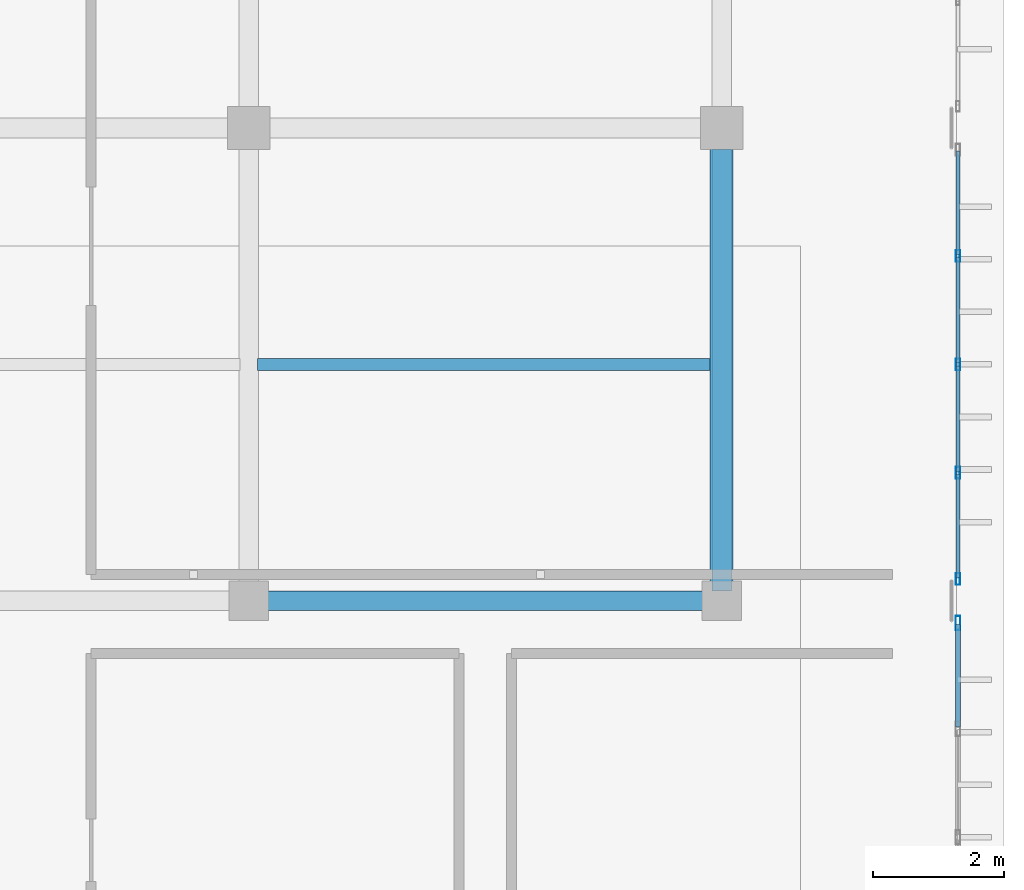
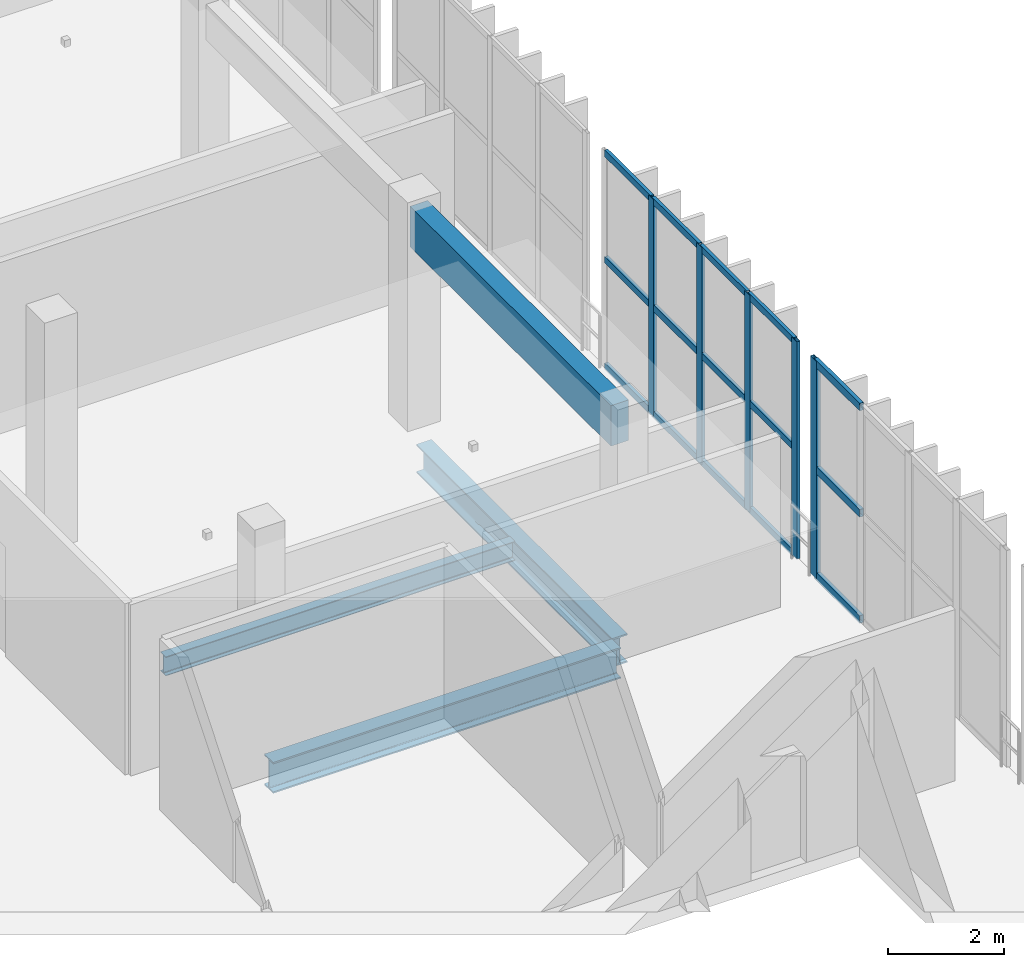
# One storey, part 59 of 105: 20 members, 4 beams, 2 elements without a shape of their own.
"""IFC4 building model written with IfcOpenShell, lengths in metres."""

from ifc_helpers import new_model, si_unit, direction, frame, origin, origin_2d, place, context, subcontext, project, spatial, rectangle, hollow_rectangle, i_section, extrude, material, material_profile, profile_set, type_object, element, aggregate, save


model = new_model("IFC4")

# Units and contexts
model_context = context("Model", 3, precision=1e-05, world=origin(), true_north=direction((0.0, 1.0)))
body_context = subcontext(model_context, "Body", "Model", "MODEL_VIEW")
ifc_project = project(units=[si_unit("LENGTHUNIT", "METRE"), si_unit("AREAUNIT", "SQUARE_METRE"), si_unit("VOLUMEUNIT", "CUBIC_METRE"), si_unit("PLANEANGLEUNIT", "RADIAN"), si_unit("MASSUNIT", "GRAM", prefix="KILO")], contexts=[model_context])

# Site, building, storey
site_placement = place(None, origin())
site = spatial("IfcSite", under=ifc_project, at=site_placement, CompositionType="ELEMENT")
building_placement = place(site_placement, origin())
building = spatial("IfcBuilding", under=site, at=building_placement, Name="Qandorah Velis Arena", CompositionType="ELEMENT")
storey_placement = place(building_placement, frame((0.0, 0.0, 13.800048828125)))
storey = spatial("IfcBuildingStorey", under=building, at=storey_placement, Name="L03", CompositionType="ELEMENT", Elevation=13.800048828125)

# Curtain wall, members
ifc_material_1 = material(Name="Solar-control low-E double glazing", Category="glass")
curtain_wall_type_1 = type_object("IfcCurtainWallType", Name="ARC-CW-SYS10", PredefinedType="USERDEFINED", material=ifc_material_1)
curtain_wall_1_placement = place(storey_placement, origin())
curtain_wall_1 = element("IfcCurtainWall", 1, at=curtain_wall_1_placement, inside=storey, type_object=curtain_wall_type_1, Name="Unitised curtain wall L03-154", ObjectType="UNITISED CURTAIN WALL", PredefinedType="USERDEFINED")
ifc_material_2 = material(Name="Champagne-bronze anodized aluminium 6063-T6", Category="aluminium")
ifc_material_profile_1 = material_profile(ifc_material_2, hollow_rectangle(XDim=0.06494140625, YDim=0.179931640625, WallThickness=0.00341796875, at=origin_2d()), Name="ALU MULLION 65x180")
ifc_profile_set_1 = profile_set([ifc_material_profile_1], Name="Champagne-bronze anodized aluminium 6063-T6")
member_type_1 = type_object("IfcMemberType", Name="ARC-CWM-180", PredefinedType="MULLION", material=ifc_profile_set_1)
member_1_placement = place(storey_placement, frame((169.199951171875, 57.9326171875, -0.01513671875), z_axis=(0.0, 0.0, 1.0), x_axis=(-1.0, 0.0, 0.0)))
member_1 = element("IfcMember", 2, at=member_1_placement, type_object=member_type_1, Name="CW10 mullion 1", PredefinedType="MULLION", context=body_context, shape_type="SweptSolid", body=[
    extrude(hollow_rectangle(XDim=0.06494140625, YDim=0.179931640625, WallThickness=0.00341796875, at=origin_2d()), origin(), (0.0, 0.0, 1.0), 4.56005859375),
])
member_2_placement = place(storey_placement, frame((169.199951171875, 59.550048828125, -0.01513671875), z_axis=(0.0, 0.0, 1.0), x_axis=(-1.0, 0.0, 0.0)))
member_2 = element("IfcMember", 3, at=member_2_placement, type_object=member_type_1, Name="CW10 mullion 2", PredefinedType="MULLION", context=body_context, shape_type="SweptSolid", body=[
    extrude(hollow_rectangle(XDim=0.06494140625, YDim=0.179931640625, WallThickness=0.00341796875, at=origin_2d()), origin(), (0.0, 0.0, 1.0), 4.56005859375),
])
member_3_placement = place(storey_placement, frame((169.199951171875, 61.199951171875, -0.01513671875), z_axis=(0.0, 0.0, 1.0), x_axis=(-1.0, 0.0, 0.0)))
member_3 = element("IfcMember", 4, at=member_3_placement, type_object=member_type_1, Name="CW10 mullion 3", PredefinedType="MULLION", context=body_context, shape_type="SweptSolid", body=[
    extrude(hollow_rectangle(XDim=0.06494140625, YDim=0.179931640625, WallThickness=0.00341796875, at=origin_2d()), origin(), (0.0, 0.0, 1.0), 4.56005859375),
])
member_4_placement = place(storey_placement, frame((169.199951171875, 62.85009765625, -0.01513671875), z_axis=(0.0, 0.0, 1.0), x_axis=(-1.0, 0.0, 0.0)))
member_4 = element("IfcMember", 5, at=member_4_placement, type_object=member_type_1, Name="CW10 mullion 4", PredefinedType="MULLION", context=body_context, shape_type="SweptSolid", body=[
    extrude(hollow_rectangle(XDim=0.06494140625, YDim=0.179931640625, WallThickness=0.00341796875, at=origin_2d()), origin(), (0.0, 0.0, 1.0), 4.56005859375),
])

# Curtain wall, member
curtain_wall_type_2 = type_object("IfcCurtainWallType", Name="ARC-CW-SYS09", PredefinedType="USERDEFINED", material=ifc_material_1)
curtain_wall_2_placement = place(storey_placement, origin())
curtain_wall_2 = element("IfcCurtainWall", 6, at=curtain_wall_2_placement, inside=storey, type_object=curtain_wall_type_2, Name="Unitised curtain wall L03-153", ObjectType="UNITISED CURTAIN WALL", PredefinedType="USERDEFINED")
ifc_material_profile_2 = material_profile(ifc_material_2, hollow_rectangle(XDim=0.074951171875, YDim=0.219970703125, WallThickness=0.00390625, at=origin_2d()), Name="ALU MULLION 75x220")
ifc_profile_set_2 = profile_set([ifc_material_profile_2], Name="Champagne-bronze anodized aluminium 6063-T6")
member_type_2 = type_object("IfcMemberType", Name="ARC-CWM-220", PredefinedType="MULLION", material=ifc_profile_set_2)
member_5_placement = place(storey_placement, frame((169.199951171875, 57.262451171875, -0.01513671875), z_axis=(0.0, 0.0, 1.0), x_axis=(-1.0, 0.0, 0.0)))
member_5 = element("IfcMember", 7, at=member_5_placement, type_object=member_type_2, Name="CW09 mullion 5", PredefinedType="MULLION", context=body_context, shape_type="SweptSolid", body=[
    extrude(hollow_rectangle(XDim=0.074951171875, YDim=0.219970703125, WallThickness=0.00390625, at=origin_2d()), origin(), (0.0, 0.0, 1.0), 4.56005859375),
])

# Member
ifc_material_profile_3 = material_profile(ifc_material_2, hollow_rectangle(XDim=0.06494140625, YDim=0.139892578125, WallThickness=0.0029296875, at=origin_2d()), Name="ALU TRANSOM 65x140")
ifc_profile_set_3 = profile_set([ifc_material_profile_3], Name="Champagne-bronze anodized aluminium 6063-T6")
member_type_3 = type_object("IfcMemberType", Name="ARC-CWT-140", PredefinedType="USERDEFINED", material=ifc_profile_set_3)
member_6_placement = place(storey_placement, frame((169.199951171875, 57.952880859375, 0.032470703125), z_axis=(0.0, 1.0, 0.0), x_axis=(-1.0, 0.0, 0.0)))
member_6 = element("IfcMember", 8, at=member_6_placement, type_object=member_type_3, Name="CW10 transom 1.1", ObjectType="TRANSOM", PredefinedType="USERDEFINED", context=body_context, shape_type="SweptSolid", body=[
    extrude(hollow_rectangle(XDim=0.06494140625, YDim=0.139892578125, WallThickness=0.0029296875, at=origin_2d()), origin(), (0.0, 0.0, 1.0), 1.57666015625),
])

member_7_placement = place(storey_placement, frame((169.199951171875, 57.952880859375, 2.264892578125), z_axis=(0.0, 1.0, 0.0), x_axis=(-1.0, 0.0, 0.0)))
member_7 = element("IfcMember", 9, at=member_7_placement, type_object=member_type_3, Name="CW10 transom 1.2", ObjectType="TRANSOM", PredefinedType="USERDEFINED", context=body_context, shape_type="SweptSolid", body=[
    extrude(hollow_rectangle(XDim=0.06494140625, YDim=0.139892578125, WallThickness=0.0029296875, at=origin_2d()), origin(), (0.0, 0.0, 1.0), 1.57666015625),
])

member_8_placement = place(storey_placement, frame((169.199951171875, 57.952880859375, 4.49755859375), z_axis=(0.0, 1.0, 0.0), x_axis=(-1.0, 0.0, 0.0)))
member_8 = element("IfcMember", 10, at=member_8_placement, type_object=member_type_3, Name="CW10 transom 1.3", ObjectType="TRANSOM", PredefinedType="USERDEFINED", context=body_context, shape_type="SweptSolid", body=[
    extrude(hollow_rectangle(XDim=0.06494140625, YDim=0.139892578125, WallThickness=0.0029296875, at=origin_2d()), origin(), (0.0, 0.0, 1.0), 1.57666015625),
])

member_9_placement = place(storey_placement, frame((169.199951171875, 59.570556640625, 0.032470703125), z_axis=(0.0, 1.0, 0.0), x_axis=(-1.0, 0.0, 0.0)))
member_9 = element("IfcMember", 11, at=member_9_placement, type_object=member_type_3, Name="CW10 transom 2.1", ObjectType="TRANSOM", PredefinedType="USERDEFINED", context=body_context, shape_type="SweptSolid", body=[
    extrude(hollow_rectangle(XDim=0.06494140625, YDim=0.139892578125, WallThickness=0.0029296875, at=origin_2d()), origin(), (0.0, 0.0, 1.0), 1.60888671875),
])

member_10_placement = place(storey_placement, frame((169.199951171875, 59.570556640625, 2.264892578125), z_axis=(0.0, 1.0, 0.0), x_axis=(-1.0, 0.0, 0.0)))
member_10 = element("IfcMember", 12, at=member_10_placement, type_object=member_type_3, Name="CW10 transom 2.2", ObjectType="TRANSOM", PredefinedType="USERDEFINED", context=body_context, shape_type="SweptSolid", body=[
    extrude(hollow_rectangle(XDim=0.06494140625, YDim=0.139892578125, WallThickness=0.0029296875, at=origin_2d()), origin(), (0.0, 0.0, 1.0), 1.60888671875),
])

member_11_placement = place(storey_placement, frame((169.199951171875, 59.570556640625, 4.49755859375), z_axis=(0.0, 1.0, 0.0), x_axis=(-1.0, 0.0, 0.0)))
member_11 = element("IfcMember", 13, at=member_11_placement, type_object=member_type_3, Name="CW10 transom 2.3", ObjectType="TRANSOM", PredefinedType="USERDEFINED", context=body_context, shape_type="SweptSolid", body=[
    extrude(hollow_rectangle(XDim=0.06494140625, YDim=0.139892578125, WallThickness=0.0029296875, at=origin_2d()), origin(), (0.0, 0.0, 1.0), 1.60888671875),
])

member_12_placement = place(storey_placement, frame((169.199951171875, 61.220458984375, 0.032470703125), z_axis=(0.0, 1.0, 0.0), x_axis=(-1.0, 0.0, 0.0)))
member_12 = element("IfcMember", 14, at=member_12_placement, type_object=member_type_3, Name="CW10 transom 3.1", ObjectType="TRANSOM", PredefinedType="USERDEFINED", context=body_context, shape_type="SweptSolid", body=[
    extrude(hollow_rectangle(XDim=0.06494140625, YDim=0.139892578125, WallThickness=0.0029296875, at=origin_2d()), origin(), (0.0, 0.0, 1.0), 1.609130859375),
])

member_13_placement = place(storey_placement, frame((169.199951171875, 61.220458984375, 2.264892578125), z_axis=(0.0, 1.0, 0.0), x_axis=(-1.0, 0.0, 0.0)))
member_13 = element("IfcMember", 15, at=member_13_placement, type_object=member_type_3, Name="CW10 transom 3.2", ObjectType="TRANSOM", PredefinedType="USERDEFINED", context=body_context, shape_type="SweptSolid", body=[
    extrude(hollow_rectangle(XDim=0.06494140625, YDim=0.139892578125, WallThickness=0.0029296875, at=origin_2d()), origin(), (0.0, 0.0, 1.0), 1.609130859375),
])

member_14_placement = place(storey_placement, frame((169.199951171875, 61.220458984375, 4.49755859375), z_axis=(0.0, 1.0, 0.0), x_axis=(-1.0, 0.0, 0.0)))
member_14 = element("IfcMember", 16, at=member_14_placement, type_object=member_type_3, Name="CW10 transom 3.3", ObjectType="TRANSOM", PredefinedType="USERDEFINED", context=body_context, shape_type="SweptSolid", body=[
    extrude(hollow_rectangle(XDim=0.06494140625, YDim=0.139892578125, WallThickness=0.0029296875, at=origin_2d()), origin(), (0.0, 0.0, 1.0), 1.609130859375),
])

member_15_placement = place(storey_placement, frame((169.199951171875, 62.87060546875, 0.032470703125), z_axis=(0.0, 1.0, 0.0), x_axis=(-1.0, 0.0, 0.0)))
member_15 = element("IfcMember", 17, at=member_15_placement, type_object=member_type_3, Name="CW10 transom 4.1", ObjectType="TRANSOM", PredefinedType="USERDEFINED", context=body_context, shape_type="SweptSolid", body=[
    extrude(hollow_rectangle(XDim=0.06494140625, YDim=0.139892578125, WallThickness=0.0029296875, at=origin_2d()), origin(), (0.0, 0.0, 1.0), 1.576416015625),
])

member_16_placement = place(storey_placement, frame((169.199951171875, 62.87060546875, 2.264892578125), z_axis=(0.0, 1.0, 0.0), x_axis=(-1.0, 0.0, 0.0)))
member_16 = element("IfcMember", 18, at=member_16_placement, type_object=member_type_3, Name="CW10 transom 4.2", ObjectType="TRANSOM", PredefinedType="USERDEFINED", context=body_context, shape_type="SweptSolid", body=[
    extrude(hollow_rectangle(XDim=0.06494140625, YDim=0.139892578125, WallThickness=0.0029296875, at=origin_2d()), origin(), (0.0, 0.0, 1.0), 1.576416015625),
])

member_17_placement = place(storey_placement, frame((169.199951171875, 62.87060546875, 4.49755859375), z_axis=(0.0, 1.0, 0.0), x_axis=(-1.0, 0.0, 0.0)))
member_17 = element("IfcMember", 19, at=member_17_placement, type_object=member_type_3, Name="CW10 transom 4.3", ObjectType="TRANSOM", PredefinedType="USERDEFINED", context=body_context, shape_type="SweptSolid", body=[
    extrude(hollow_rectangle(XDim=0.06494140625, YDim=0.139892578125, WallThickness=0.0029296875, at=origin_2d()), origin(), (0.0, 0.0, 1.0), 1.576416015625),
])

aggregate(curtain_wall_1, [member_1, member_2, member_3, member_4, member_6, member_7, member_8, member_9, member_10, member_11, member_12, member_13, member_14, member_15, member_16, member_17])

ifc_material_profile_4 = material_profile(ifc_material_2, hollow_rectangle(XDim=0.074951171875, YDim=0.159912109375, WallThickness=0.00341796875, at=origin_2d()), Name="ALU TRANSOM 75x160")
ifc_profile_set_4 = profile_set([ifc_material_profile_4], Name="Champagne-bronze anodized aluminium 6063-T6")
member_type_4 = type_object("IfcMemberType", Name="ARC-CWT-160", PredefinedType="USERDEFINED", material=ifc_profile_set_4)
member_18_placement = place(storey_placement, frame((169.199951171875, 55.675537109375, 0.037353515625), z_axis=(0.0, 1.0, 0.0), x_axis=(-1.0, 0.0, 0.0)))
member_18 = element("IfcMember", 20, at=member_18_placement, type_object=member_type_4, Name="CW09 transom 4.1", ObjectType="TRANSOM", PredefinedType="USERDEFINED", context=body_context, shape_type="SweptSolid", body=[
    extrude(hollow_rectangle(XDim=0.074951171875, YDim=0.159912109375, WallThickness=0.00341796875, at=origin_2d()), origin(), (0.0, 0.0, 1.0), 1.5615234375),
])

member_19_placement = place(storey_placement, frame((169.199951171875, 55.675537109375, 2.264892578125), z_axis=(0.0, 1.0, 0.0), x_axis=(-1.0, 0.0, 0.0)))
member_19 = element("IfcMember", 21, at=member_19_placement, type_object=member_type_4, Name="CW09 transom 4.2", ObjectType="TRANSOM", PredefinedType="USERDEFINED", context=body_context, shape_type="SweptSolid", body=[
    extrude(hollow_rectangle(XDim=0.074951171875, YDim=0.159912109375, WallThickness=0.00341796875, at=origin_2d()), origin(), (0.0, 0.0, 1.0), 1.5615234375),
])

member_20_placement = place(storey_placement, frame((169.199951171875, 55.675537109375, 4.492431640625), z_axis=(0.0, 1.0, 0.0), x_axis=(-1.0, 0.0, 0.0)))
member_20 = element("IfcMember", 22, at=member_20_placement, type_object=member_type_4, Name="CW09 transom 4.3", ObjectType="TRANSOM", PredefinedType="USERDEFINED", context=body_context, shape_type="SweptSolid", body=[
    extrude(hollow_rectangle(XDim=0.074951171875, YDim=0.159912109375, WallThickness=0.00341796875, at=origin_2d()), origin(), (0.0, 0.0, 1.0), 1.5615234375),
])

aggregate(curtain_wall_2, [member_5, member_18, member_19, member_20])

# Beams
ifc_material_3 = material(Name="Steel S355", Category="steel")
ifc_material_profile_5 = material_profile(ifc_material_3, i_section(OverallWidth=0.300048828125, OverallDepth=0.60009765625, WebThickness=0.015380859375, FlangeThickness=0.030029296875, FilletRadius=0.027099609375, at=origin_2d()), Name="HEB 600")
ifc_profile_set_5 = profile_set([ifc_material_profile_5], Name="Steel S355")
beam_type_1 = type_object("IfcBeamType", Name="STR-BM-HEB600", PredefinedType="BEAM", material=ifc_profile_set_5)
beam_1_placement = place(storey_placement, frame((165.60009765625, 57.75, -0.6201171875), z_axis=(0.0, 1.0, 0.0), x_axis=(-1.0, 0.0, 0.0)))
element("IfcBeam", 23, at=beam_1_placement, inside=storey, type_object=beam_type_1, Name="Primary floor girder L03 Y-335", PredefinedType="BEAM", context=body_context, shape_type="SweptSolid", body=[
    extrude(i_section(OverallWidth=0.300048828125, OverallDepth=0.60009765625, WebThickness=0.015380859375, FlangeThickness=0.030029296875, FilletRadius=0.027099609375, at=origin_2d()), origin(), (0.0, 0.0, 1.0), 6.72509765625),
])
ifc_material_profile_6 = material_profile(ifc_material_3, i_section(OverallWidth=0.300048828125, OverallDepth=0.64990234375, WebThickness=0.01611328125, FlangeThickness=0.031005859375, FilletRadius=0.027099609375, at=origin_2d()), Name="HEB 650")
ifc_profile_set_6 = profile_set([ifc_material_profile_6], Name="Steel S355")
beam_type_2 = type_object("IfcBeamType", Name="STR-BM-HEB650", PredefinedType="BEAM", material=ifc_profile_set_6)
beam_2_placement = place(storey_placement, frame((158.550048828125, 57.60009765625, -0.64501953125), z_axis=(1.0, 0.0, 0.0), x_axis=(0.0, 1.0, 0.0)))
element("IfcBeam", 24, at=beam_2_placement, inside=storey, type_object=beam_type_2, Name="Primary floor girder L03 X-088", PredefinedType="BEAM", context=body_context, shape_type="SweptSolid", body=[
    extrude(i_section(OverallWidth=0.300048828125, OverallDepth=0.64990234375, WebThickness=0.01611328125, FlangeThickness=0.031005859375, FilletRadius=0.027099609375, at=origin_2d()), origin(), (0.0, 0.0, 1.0), 6.89990234375),
])
ifc_material_profile_7 = material_profile(ifc_material_3, i_section(OverallWidth=0.179931640625, OverallDepth=0.39990234375, WebThickness=0.008544921875, FlangeThickness=0.013427734375, FilletRadius=0.02099609375, at=origin_2d()), Name="IPE 400")
ifc_profile_set_7 = profile_set([ifc_material_profile_7], Name="Steel S355")
beam_type_3 = type_object("IfcBeamType", Name="STR-JST-IPE400", PredefinedType="JOIST", material=ifc_profile_set_7)
beam_3_placement = place(storey_placement, frame((158.534912109375, 61.199951171875, -0.52001953125), z_axis=(1.0, 0.0, 0.0), x_axis=(0.0, 1.0, 0.0)))
element("IfcBeam", 25, at=beam_3_placement, inside=storey, type_object=beam_type_3, Name="Secondary floor joist L03-101", PredefinedType="JOIST", context=body_context, shape_type="SweptSolid", body=[
    extrude(i_section(OverallWidth=0.179931640625, OverallDepth=0.39990234375, WebThickness=0.008544921875, FlangeThickness=0.013427734375, FilletRadius=0.02099609375, at=origin_2d()), origin(), (0.0, 0.0, 1.0), 6.93017578125),
])
ifc_material_4 = material(Name="Concrete C40/50", Category="concrete")
ifc_material_profile_8 = material_profile(ifc_material_4, rectangle(XDim=0.35009765625, YDim=0.85009765625, at=origin_2d()), Name="RC SPANDREL 350x850")
ifc_profile_set_8 = profile_set([ifc_material_profile_8], Name="Concrete C40/50")
beam_type_4 = type_object("IfcBeamType", Name="STR-SPN-350X850", PredefinedType="SPANDREL", material=ifc_profile_set_8)
beam_4_placement = place(storey_placement, frame((165.60009765625, 57.75, 4.14990234375), z_axis=(0.0, 1.0, 0.0), x_axis=(-1.0, 0.0, 0.0)))
element("IfcBeam", 26, at=beam_4_placement, inside=storey, type_object=beam_type_4, Name="Oasis wing spandrel beam SPB-05", PredefinedType="SPANDREL", context=body_context, shape_type="SweptSolid", body=[
    extrude(rectangle(XDim=0.35009765625, YDim=0.85009765625, at=origin_2d()), origin(), (0.0, 0.0, 1.0), 6.89990234375),
])

save(model, "model.ifc")
